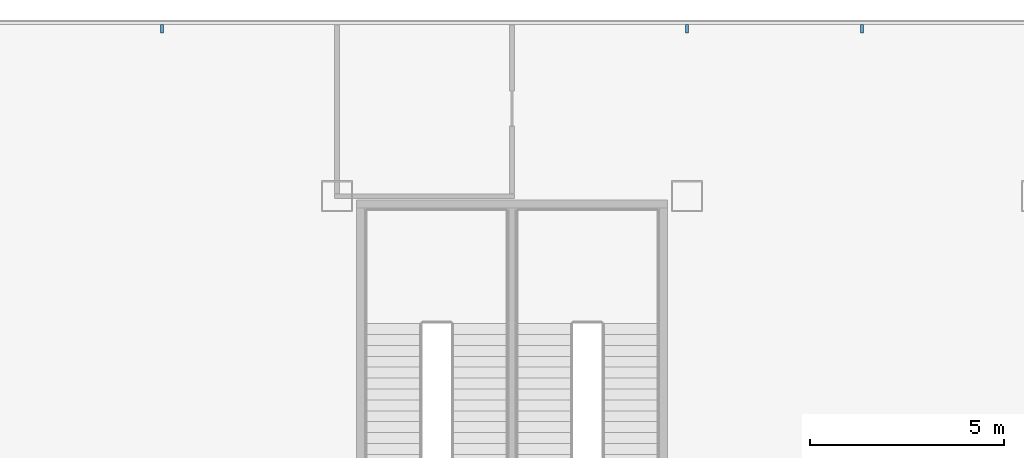
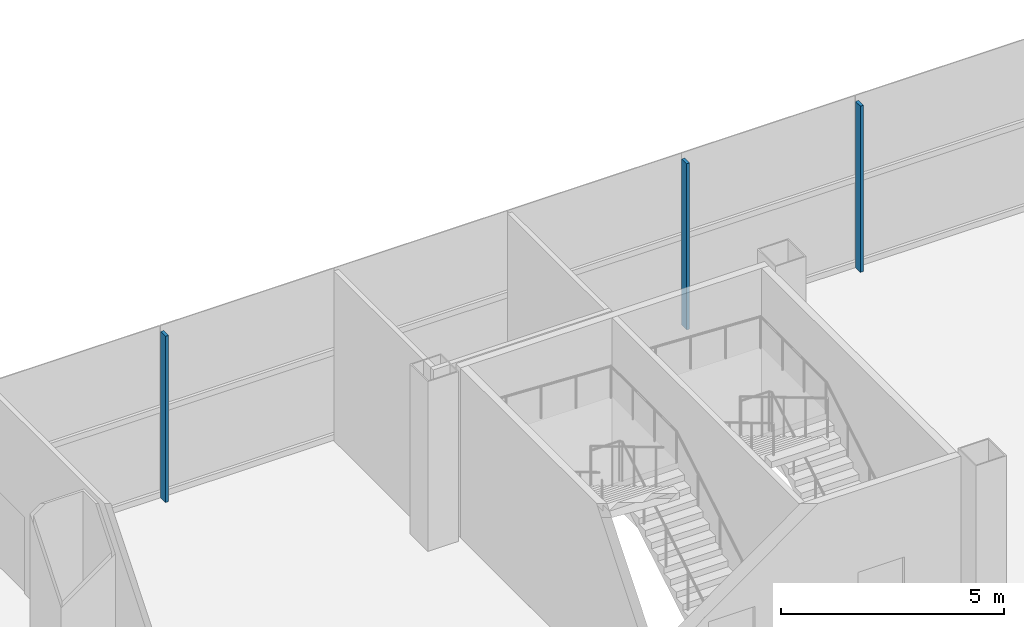
# One storey, part 7 of 30: 3 members, 1 element without a shape of its own.
"""IFC4 building model written with IfcOpenShell, lengths in metres."""

from ifc_helpers import new_model, si_unit, direction, frame, origin, origin_2d, place, context, subcontext, project, spatial, rectangle, extrude, material, layer, layer_set, material_profile, profile_set, type_object, element, aggregate, save


model = new_model("IFC4")

# Units and contexts
model_context = context("Model", 3, precision=1e-05, world=origin(), true_north=direction((0.0, 1.0)))
body_context = subcontext(model_context, "Body", "Model", "MODEL_VIEW")
ifc_project = project(units=[si_unit("LENGTHUNIT", "METRE"), si_unit("AREAUNIT", "SQUARE_METRE"), si_unit("VOLUMEUNIT", "CUBIC_METRE"), si_unit("PLANEANGLEUNIT", "RADIAN"), si_unit("MASSUNIT", "GRAM", prefix="KILO")], contexts=[model_context])

# Site, building, storey
site_placement = place(None, origin())
site = spatial("IfcSite", under=ifc_project, at=site_placement, CompositionType="ELEMENT")
building_placement = place(site_placement, origin())
building = spatial("IfcBuilding", under=site, at=building_placement, Name="Shamsa Quay Exchange Towers", CompositionType="ELEMENT")
storey_placement = place(building_placement, frame((0.0, 0.0, 23.5)))
storey = spatial("IfcBuildingStorey", under=building, at=storey_placement, Name="L04", CompositionType="ELEMENT", Elevation=23.5)

# Curtain wall, members
ifc_material = material(Name="Aluminium EN AW-6063 T6, black anodised", Category="aluminium")
ifc_layer = layer(ifc_material, 0.33203125)
ifc_layer_set = layer_set([ifc_layer], Name="CW-3 PODIUM SHOPFRONT GLAZING")
curtain_wall_type = type_object("IfcCurtainWallType", Name="CW-3 PODIUM SHOPFRONT GLAZING", PredefinedType="NOTDEFINED", material=ifc_layer_set)
curtain_wall_placement = place(storey_placement, origin())
curtain_wall = element("IfcCurtainWall", 1, at=curtain_wall_placement, inside=storey, type_object=curtain_wall_type, Name="CW3 PODIUM-L04-F01", PredefinedType="NOTDEFINED")
ifc_material_profile = material_profile(ifc_material, rectangle(XDim=0.219970703125, YDim=0.080078125, at=origin_2d()), Name="MU80x220")
ifc_profile_set = profile_set([ifc_material_profile], Name="Aluminium EN AW-6063 T6, black anodised")
member_type = type_object("IfcMemberType", Name="CW3 MULLION 80x220", PredefinedType="MULLION", material=ifc_profile_set)
member_1_placement = place(storey_placement, frame((-4.5, 29.06005859375, 0.0), z_axis=(0.0, 0.0, 1.0), x_axis=(0.0, -1.0, 0.0)))
member_1 = element("IfcMember", 2, at=member_1_placement, type_object=member_type, Name="CW3 mullion", PredefinedType="MULLION", context=body_context, shape_type="SweptSolid", body=[
    extrude(rectangle(XDim=0.219970703125, YDim=0.080078125, at=origin_2d()), origin(), (0.0, 0.0, 1.0), 4.550048828125),
])
member_2_placement = place(storey_placement, frame((-9.0, 29.06005859375, 0.0), z_axis=(0.0, 0.0, 1.0), x_axis=(0.0, -1.0, 0.0)))
member_2 = element("IfcMember", 3, at=member_2_placement, type_object=member_type, Name="CW3 mullion", PredefinedType="MULLION", context=body_context, shape_type="SweptSolid", body=[
    extrude(rectangle(XDim=0.219970703125, YDim=0.080078125, at=origin_2d()), origin(), (0.0, 0.0, 1.0), 4.550048828125),
])
member_3_placement = place(storey_placement, frame((-22.5, 29.06005859375, 0.0), z_axis=(0.0, 0.0, 1.0), x_axis=(0.0, -1.0, 0.0)))
member_3 = element("IfcMember", 4, at=member_3_placement, type_object=member_type, Name="CW3 mullion", PredefinedType="MULLION", context=body_context, shape_type="SweptSolid", body=[
    extrude(rectangle(XDim=0.219970703125, YDim=0.080078125, at=origin_2d()), origin(), (0.0, 0.0, 1.0), 4.550048828125),
])
aggregate(curtain_wall, [member_1, member_2, member_3])

save(model, "model.ifc")
